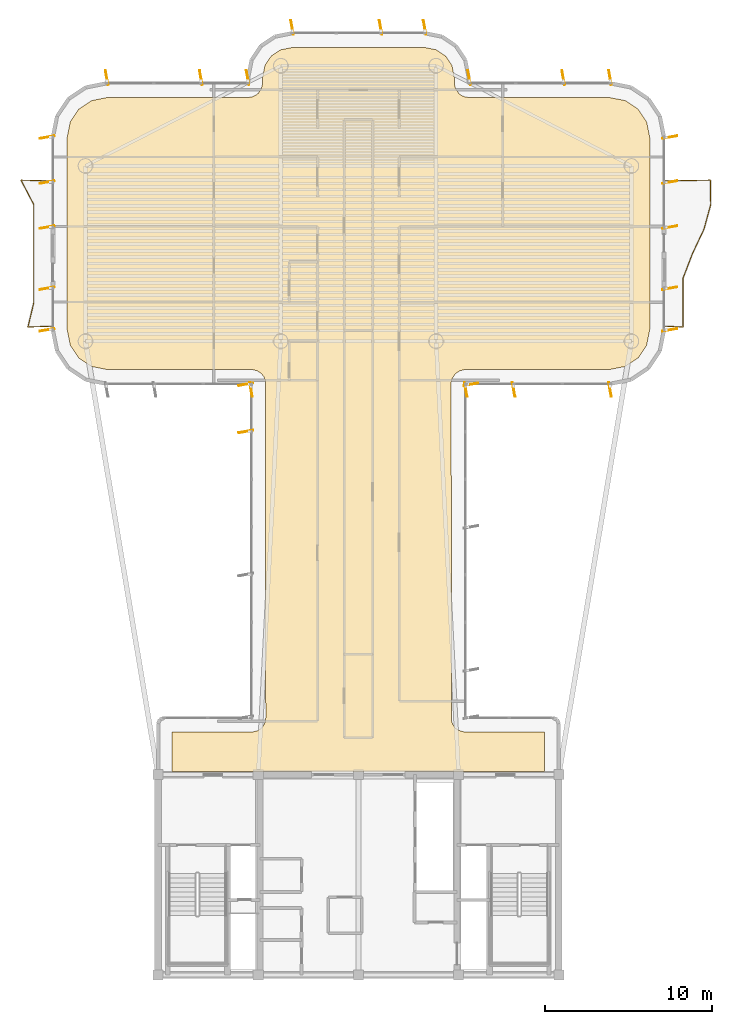
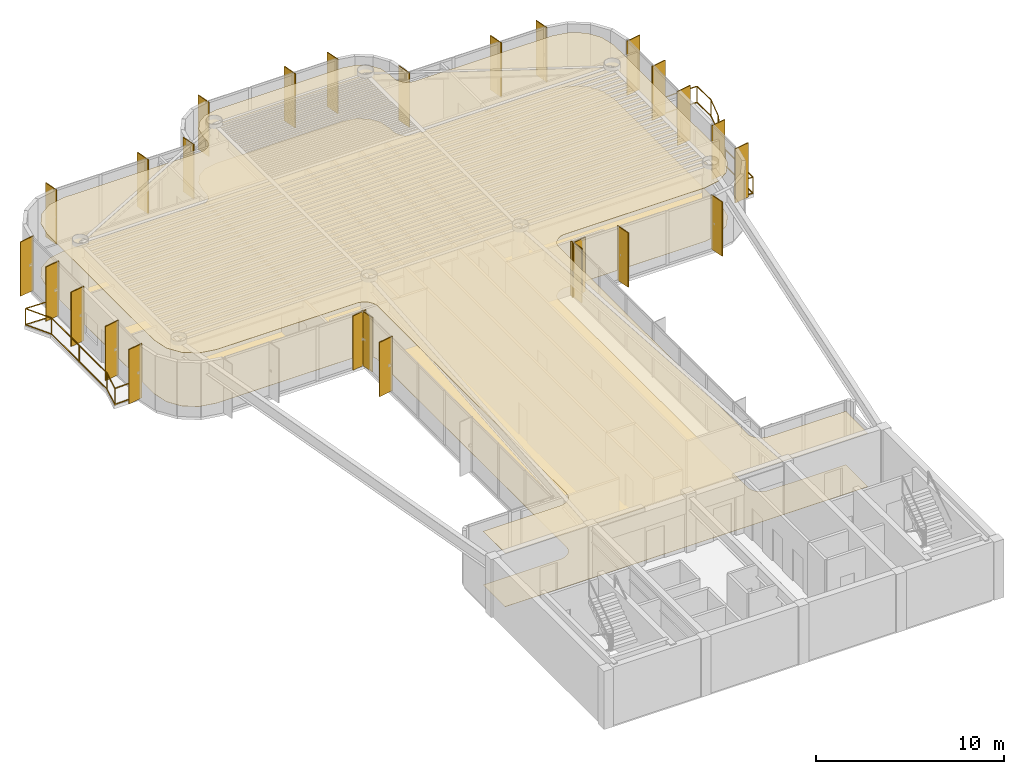
# One storey, part 15 of 15: 26 shading devices, 2 coverings, 2 railings.
"""IFC4 building model written with IfcOpenShell, lengths in metres."""

from ifc_helpers import new_model, si_unit, direction, frame, origin, origin_2d, place, context, subcontext, project, spatial, polyline, rectangle, outline, extrude, source, transform, mapped, material, layer, layer_set, material_profile, profile_set, type_object, element, save


model = new_model("IFC4")

# Units and contexts
model_context = context("Model", 3, precision=1e-05, world=origin(), true_north=direction((0.0, 1.0)))
body_context = subcontext(model_context, "Body", "Model", "MODEL_VIEW")
ifc_project = project(units=[si_unit("LENGTHUNIT", "METRE"), si_unit("AREAUNIT", "SQUARE_METRE"), si_unit("VOLUMEUNIT", "CUBIC_METRE"), si_unit("PLANEANGLEUNIT", "RADIAN"), si_unit("MASSUNIT", "GRAM", prefix="KILO")], contexts=[model_context])

# Site, building, storey
site_placement = place(None, origin())
site = spatial("IfcSite", under=ifc_project, at=site_placement, CompositionType="ELEMENT")
building_placement = place(site_placement, origin())
building = spatial("IfcBuilding", under=site, at=building_placement, Name="Brelvock Crest Care Tower", CompositionType="ELEMENT")
storey_placement = place(building_placement, frame((0.0, 0.0, 268.3798828125)))
storey = spatial("IfcBuildingStorey", under=building, at=storey_placement, Name="L68", CompositionType="ELEMENT", Elevation=268.3798828125)

# Coverings
ifc_material_1 = material(Name="Mineral Fibre Acoustic Ceiling Tile", Category="gypsum")
ifc_layer_1 = layer(ifc_material_1, 0.02490234375, Name="COV-CLG1")
ifc_layer_set_1 = layer_set([ifc_layer_1], Name="Mineral Fibre Acoustic Ceiling Tile")
covering_type_1 = type_object("IfcCoveringType", Name="COV-CLG1", PredefinedType="CEILING", material=ifc_layer_set_1)
covering_1_placement = place(storey_placement, frame((0.0, 0.0, 3.47509765625)))
element("IfcCovering", 1, at=covering_1_placement, inside=storey, type_object=covering_type_1, Name="L68 Acoustic Suspended Ceiling 1", PredefinedType="CEILING", context=body_context, shape_type="SweptSolid", body=[
    extrude(outline(polyline([(24.85009765625, 18.199951171875), (47.14990234375, 18.199951171875), (47.14990234375, 20.550048828125), (42.316650390625, 20.55419921875), (41.999267578125, 20.650390625), (41.799072265625, 20.799072265625), (41.650390625, 20.999267578125), (41.56640625, 21.234130859375), (41.55419921875, 41.4833984375), (41.61474609375, 41.725341796875), (41.799072265625, 42.0009765625), (42.07470703125, 42.185302734375), (42.316650390625, 42.245849609375), (51.016357421875, 42.25), (51.992919921875, 42.4443359375), (52.75, 42.9501953125), (53.255615234375, 43.70703125), (53.449951171875, 44.68359375), (53.449951171875, 56.1162109375), (53.255615234375, 57.093017578125), (52.75, 57.849853515625), (51.992919921875, 58.355712890625), (51.016357421875, 58.550048828125), (42.60009765625, 58.550048828125), (42.353271484375, 58.586669921875), (42.127685546875, 58.693359375), (41.9990234375, 58.799072265625), (41.814697265625, 59.07470703125), (41.754150390625, 59.316650390625), (41.75, 59.71630859375), (41.601318359375, 60.46337890625), (41.2255859375, 61.025634765625), (40.663330078125, 61.4013671875), (39.916259765625, 61.550048828125), (32.083740234375, 61.550048828125), (31.336669921875, 61.4013671875), (30.7744140625, 61.025634765625), (30.398681640625, 60.46337890625), (30.25, 59.71630859375), (30.245849609375, 59.316650390625), (30.185302734375, 59.07470703125), (30.0009765625, 58.799072265625), (29.872314453125, 58.693359375), (29.646728515625, 58.586669921875), (29.39990234375, 58.550048828125), (20.983642578125, 58.550048828125), (20.007080078125, 58.355712890625), (19.25, 57.849853515625), (18.744384765625, 57.093017578125), (18.550048828125, 56.1162109375), (18.550048828125, 44.68359375), (18.744384765625, 43.70703125), (19.25, 42.9501953125), (20.007080078125, 42.4443359375), (20.983642578125, 42.25), (29.683349609375, 42.245849609375), (29.92529296875, 42.185302734375), (30.200927734375, 42.0009765625), (30.349609375, 41.80078125), (30.43359375, 41.56591796875), (30.449951171875, 21.39990234375), (30.413330078125, 21.1533203125), (30.306640625, 20.927734375), (30.13916015625, 20.742919921875), (29.92529296875, 20.61474609375), (29.683349609375, 20.55419921875), (24.85009765625, 20.550048828125), (24.85009765625, 18.199951171875)])), origin(), (0.0, 0.0, 1.0), 0.02490234375),
])
ifc_material_2 = material(Name="Slip-Resistant Acoustic Vinyl Flooring", Category="finish")
ifc_layer_2 = layer(ifc_material_2, 0.014892578125, Name="COV-FLR1")
ifc_layer_set_2 = layer_set([ifc_layer_2], Name="Slip-Resistant Acoustic Vinyl Flooring")
covering_type_2 = type_object("IfcCoveringType", Name="COV-FLR1", PredefinedType="FLOORING", material=ifc_layer_set_2)
covering_2_placement = place(storey_placement, origin())
element("IfcCovering", 2, at=covering_2_placement, inside=storey, type_object=covering_type_2, Name="L68 Slip-Resistant Acoustic Flooring 1", PredefinedType="FLOORING", context=body_context, shape_type="SweptSolid", body=[
    extrude(outline(polyline([(24.85009765625, 18.199951171875), (47.14990234375, 18.199951171875), (47.14990234375, 20.550048828125), (42.316650390625, 20.55419921875), (41.999267578125, 20.650390625), (41.799072265625, 20.799072265625), (41.650390625, 20.999267578125), (41.56640625, 21.234130859375), (41.55419921875, 41.4833984375), (41.61474609375, 41.725341796875), (41.799072265625, 42.0009765625), (42.07470703125, 42.185302734375), (42.316650390625, 42.245849609375), (51.016357421875, 42.25), (51.992919921875, 42.4443359375), (52.75, 42.9501953125), (53.255615234375, 43.70703125), (53.449951171875, 44.68359375), (53.449951171875, 56.1162109375), (53.255615234375, 57.093017578125), (52.75, 57.849853515625), (51.992919921875, 58.355712890625), (51.016357421875, 58.550048828125), (42.60009765625, 58.550048828125), (42.353271484375, 58.586669921875), (42.127685546875, 58.693359375), (41.9990234375, 58.799072265625), (41.814697265625, 59.07470703125), (41.754150390625, 59.316650390625), (41.75, 59.71630859375), (41.601318359375, 60.46337890625), (41.2255859375, 61.025634765625), (40.663330078125, 61.4013671875), (39.916259765625, 61.550048828125), (32.083740234375, 61.550048828125), (31.336669921875, 61.4013671875), (30.7744140625, 61.025634765625), (30.398681640625, 60.46337890625), (30.25, 59.71630859375), (30.245849609375, 59.316650390625), (30.185302734375, 59.07470703125), (30.0009765625, 58.799072265625), (29.872314453125, 58.693359375), (29.646728515625, 58.586669921875), (29.39990234375, 58.550048828125), (20.983642578125, 58.550048828125), (20.007080078125, 58.355712890625), (19.25, 57.849853515625), (18.744384765625, 57.093017578125), (18.550048828125, 56.1162109375), (18.550048828125, 44.68359375), (18.744384765625, 43.70703125), (19.25, 42.9501953125), (20.007080078125, 42.4443359375), (20.983642578125, 42.25), (29.683349609375, 42.245849609375), (29.92529296875, 42.185302734375), (30.200927734375, 42.0009765625), (30.349609375, 41.80078125), (30.43359375, 41.56591796875), (30.449951171875, 21.39990234375), (30.413330078125, 21.1533203125), (30.306640625, 20.927734375), (30.13916015625, 20.742919921875), (29.92529296875, 20.61474609375), (29.683349609375, 20.55419921875), (24.85009765625, 20.550048828125), (24.85009765625, 18.199951171875)])), origin(), (0.0, 0.0, 1.0), 0.01513671875),
])

# Railings
ifc_material_3 = material(Name="Dark Glass Double Glazed Low-E", Category="glass")
ifc_layer_3 = layer(ifc_material_3, 0.06005859375, Name="RL-BAL1")
ifc_layer_set_3 = layer_set([ifc_layer_3], Name="Dark Glass Double Glazed Low-E")
railing_type = type_object("IfcRailingType", Name="RL-BAL1", PredefinedType="BALUSTRADE", material=ifc_layer_set_3)
railing_1_placement = place(storey_placement, frame((17.659912109375, 44.85009765625, 0.004150390625)))
element("IfcRailing", 3, at=railing_1_placement, inside=storey, type_object=railing_type, Name="L68 Safety Balustrade WB-W", PredefinedType="BALUSTRADE", context=body_context, shape_type="SweptSolid", body=[
    extrude(rectangle(XDim=0.048095703125, YDim=0.048095703125, at=origin_2d()), frame((-0.001953125, 0.0, 1.09619140625), z_axis=(-0.999404799616, -0.034497050669, 0.0), x_axis=(0.034497050669, -0.999404799616, 0.0)), (0.0, 0.0, 1.0), 1.44677734375),
    extrude(rectangle(XDim=0.048095703125, YDim=0.048095703125, at=origin_2d()), frame((-0.001953125, 0.0, 0.054931640625), z_axis=(-0.999404799616, -0.034497050669, 0.0), x_axis=(0.034497050669, -0.999404799616, 0.0)), (0.0, 0.0, 1.0), 1.44677734375),
    extrude(rectangle(XDim=0.048095703125, YDim=0.048095703125, at=origin_2d()), frame((-1.449462890625, -0.048095703125, 1.09619140625), z_axis=(0.232196944837, 0.972668791937, 0.0), x_axis=(-0.972668791937, 0.232196944837, 0.0)), (0.0, 0.0, 1.0), 1.503662109375),
    extrude(rectangle(XDim=0.048095703125, YDim=0.048095703125, at=origin_2d()), frame((-1.449462890625, -0.048095703125, 0.054931640625), z_axis=(0.232196944837, 0.972668791937, 0.0), x_axis=(-0.972668791937, 0.232196944837, 0.0)), (0.0, 0.0, 1.0), 1.503662109375),
    extrude(rectangle(XDim=0.048095703125, YDim=0.048095703125, at=origin_2d()), frame((-1.099853515625, 1.41845703125, 1.09619140625), z_axis=(-0.000124843944, 0.999999992207, 0.0), x_axis=(-0.999999992207, -0.000124843944, 0.0)), (0.0, 0.0, 1.0), 5.86279296875),
    extrude(rectangle(XDim=0.048095703125, YDim=0.048095703125, at=origin_2d()), frame((-1.099853515625, 1.41845703125, 0.054931640625), z_axis=(-0.000124843944, 0.999999992207, 0.0), x_axis=(-0.999999992207, -0.000124843944, 0.0)), (0.0, 0.0, 1.0), 5.86279296875),
    extrude(rectangle(XDim=0.048095703125, YDim=0.048095703125, at=origin_2d()), frame((-1.1015625, 7.284912109375, 1.09619140625), z_axis=(-0.463191013929, 0.88625847506, 0.0), x_axis=(-0.88625847506, -0.463191013929, 0.0)), (0.0, 0.0, 1.0), 1.651123046875),
    extrude(rectangle(XDim=0.048095703125, YDim=0.048095703125, at=origin_2d()), frame((-1.1015625, 7.284912109375, 0.054931640625), z_axis=(-0.463191013929, 0.88625847506, 0.0), x_axis=(-0.88625847506, -0.463191013929, 0.0)), (0.0, 0.0, 1.0), 1.651123046875),
    extrude(rectangle(XDim=0.048095703125, YDim=0.048095703125, at=origin_2d()), frame((-1.865234375, 8.75, 1.09619140625), z_axis=(0.999640955712, -0.026794769341, 0.0), x_axis=(0.026794769341, 0.999640955712, 0.0)), (0.0, 0.0, 1.0), 1.86376953125),
    extrude(rectangle(XDim=0.048095703125, YDim=0.048095703125, at=origin_2d()), frame((-1.865234375, 8.75, 0.054931640625), z_axis=(0.999640955712, -0.026794769341, 0.0), x_axis=(0.026794769341, 0.999640955712, 0.0)), (0.0, 0.0, 1.0), 1.86376953125),
    extrude(rectangle(XDim=0.0419921875, YDim=0.0419921875, at=origin_2d()), origin(), (0.0, 0.0, 1.0), 1.070068359375),
    extrude(rectangle(XDim=0.0419921875, YDim=0.0419921875, at=origin_2d()), frame((-1.449951171875, -0.050048828125, 0.0)), (0.0, 0.0, 1.0), 1.070068359375),
    extrude(rectangle(XDim=0.0419921875, YDim=0.0419921875, at=origin_2d()), frame((-1.099853515625, 1.41650390625, 0.0)), (0.0, 0.0, 1.0), 1.070068359375),
    extrude(rectangle(XDim=0.0419921875, YDim=0.0419921875, at=origin_2d()), frame((-1.10009765625, 4.349853515625, 0.0)), (0.0, 0.0, 1.0), 1.070068359375),
    extrude(rectangle(XDim=0.0419921875, YDim=0.0419921875, at=origin_2d()), frame((-1.1005859375, 7.283203125, 0.0)), (0.0, 0.0, 1.0), 1.070068359375),
    extrude(rectangle(XDim=0.0419921875, YDim=0.0419921875, at=origin_2d()), frame((-1.8671875, 8.75, 0.0)), (0.0, 0.0, 1.0), 1.070068359375),
    extrude(rectangle(XDim=0.0419921875, YDim=0.0419921875, at=origin_2d()), frame((0.0, 8.699951171875, 0.0)), (0.0, 0.0, 1.0), 1.070068359375),
])
railing_2_placement = place(storey_placement, frame((54.340087890625, 44.85009765625, 0.004150390625)))
element("IfcRailing", 4, at=railing_2_placement, inside=storey, type_object=railing_type, Name="L68 Safety Balustrade WB-E", PredefinedType="BALUSTRADE", context=body_context, shape_type="SweptSolid", body=[
    extrude(rectangle(XDim=0.048095703125, YDim=0.048095703125, at=origin_2d()), frame((0.001953125, 0.0, 1.09619140625), z_axis=(0.998966252902, -0.045457953795, 0.0), x_axis=(0.045457953795, 0.998966252902, 0.0)), (0.0, 0.0, 1.0), 1.096923828125),
    extrude(rectangle(XDim=0.048095703125, YDim=0.048095703125, at=origin_2d()), frame((0.001953125, 0.0, 0.054931640625), z_axis=(0.998966252902, -0.045457953795, 0.0), x_axis=(0.045457953795, 0.998966252902, 0.0)), (0.0, 0.0, 1.0), 1.096923828125),
    extrude(rectangle(XDim=0.048095703125, YDim=0.048095703125, at=origin_2d()), frame((1.099853515625, -0.048095703125, 1.09619140625), z_axis=(0.0, 1.0, 0.0), x_axis=(-1.0, 0.0, 0.0)), (0.0, 0.0, 1.0), 2.929443359375),
    extrude(rectangle(XDim=0.048095703125, YDim=0.048095703125, at=origin_2d()), frame((1.099853515625, -0.048095703125, 0.054931640625), z_axis=(0.0, 1.0, 0.0), x_axis=(-1.0, 0.0, 0.0)), (0.0, 0.0, 1.0), 2.929443359375),
    extrude(rectangle(XDim=0.048095703125, YDim=0.048095703125, at=origin_2d()), frame((1.1005859375, 2.88525390625, 1.09619140625), z_axis=(0.357436663677, 0.933937380909, 0.0), x_axis=(-0.933937380909, 0.357436663677, 0.0)), (0.0, 0.0, 1.0), 1.56640625),
    extrude(rectangle(XDim=0.048095703125, YDim=0.048095703125, at=origin_2d()), frame((1.1005859375, 2.88525390625, 0.054931640625), z_axis=(0.357436663677, 0.933937380909, 0.0), x_axis=(-0.933937380909, 0.357436663677, 0.0)), (0.0, 0.0, 1.0), 1.56640625),
    extrude(rectangle(XDim=0.048095703125, YDim=0.048095703125, at=origin_2d()), frame((1.661865234375, 4.3515625, 1.09619140625), z_axis=(0.426746449171, 0.904371310978, 0.0), x_axis=(-0.904371310978, 0.426746449171, 0.0)), (0.0, 0.0, 1.0), 1.617919921875),
    extrude(rectangle(XDim=0.048095703125, YDim=0.048095703125, at=origin_2d()), frame((1.661865234375, 4.3515625, 0.054931640625), z_axis=(0.426746449171, 0.904371310978, 0.0), x_axis=(-0.904371310978, 0.426746449171, 0.0)), (0.0, 0.0, 1.0), 1.617919921875),
    extrude(rectangle(XDim=0.048095703125, YDim=0.048095703125, at=origin_2d()), frame((2.353759765625, 5.818603515625, 1.09619140625), z_axis=(0.263525028953, 0.964652558756, 0.0), x_axis=(-0.964652558756, 0.263525028953, 0.0)), (0.0, 0.0, 1.0), 1.516357421875),
    extrude(rectangle(XDim=0.048095703125, YDim=0.048095703125, at=origin_2d()), frame((2.353759765625, 5.818603515625, 0.054931640625), z_axis=(0.263525028953, 0.964652558756, 0.0), x_axis=(-0.964652558756, 0.263525028953, 0.0)), (0.0, 0.0, 1.0), 1.516357421875),
    extrude(rectangle(XDim=0.048095703125, YDim=0.048095703125, at=origin_2d()), frame((2.75390625, 7.28515625, 1.09619140625), z_axis=(-0.013647197663, 0.999906872662, 0.0), x_axis=(-0.999906872662, -0.013647197663, 0.0)), (0.0, 0.0, 1.0), 1.462890625),
    extrude(rectangle(XDim=0.048095703125, YDim=0.048095703125, at=origin_2d()), frame((2.75390625, 7.28515625, 0.054931640625), z_axis=(-0.013647197663, 0.999906872662, 0.0), x_axis=(-0.999906872662, -0.013647197663, 0.0)), (0.0, 0.0, 1.0), 1.462890625),
    extrude(rectangle(XDim=0.048095703125, YDim=0.048095703125, at=origin_2d()), frame((2.73193359375, 8.75, 1.09619140625), z_axis=(-0.999832471903, -0.018303773597, 0.0), x_axis=(0.018303773597, -0.999832471903, 0.0)), (0.0, 0.0, 1.0), 2.730224609375),
    extrude(rectangle(XDim=0.048095703125, YDim=0.048095703125, at=origin_2d()), frame((2.73193359375, 8.75, 0.054931640625), z_axis=(-0.999832471903, -0.018303773597, 0.0), x_axis=(0.018303773597, -0.999832471903, 0.0)), (0.0, 0.0, 1.0), 2.730224609375),
    extrude(rectangle(XDim=0.0419921875, YDim=0.0419921875, at=origin_2d()), origin(), (0.0, 0.0, 1.0), 1.070068359375),
    extrude(rectangle(XDim=0.0419921875, YDim=0.0419921875, at=origin_2d()), frame((1.099853515625, -0.050048828125, 0.0)), (0.0, 0.0, 1.0), 1.070068359375),
    extrude(rectangle(XDim=0.0419921875, YDim=0.0419921875, at=origin_2d()), frame((1.099853515625, 2.88330078125, 0.0)), (0.0, 0.0, 1.0), 1.070068359375),
    extrude(rectangle(XDim=0.0419921875, YDim=0.0419921875, at=origin_2d()), frame((1.6611328125, 4.349853515625, 0.0)), (0.0, 0.0, 1.0), 1.070068359375),
    extrude(rectangle(XDim=0.0419921875, YDim=0.0419921875, at=origin_2d()), frame((2.353271484375, 5.816650390625, 0.0)), (0.0, 0.0, 1.0), 1.070068359375),
    extrude(rectangle(XDim=0.0419921875, YDim=0.0419921875, at=origin_2d()), frame((2.75390625, 7.283203125, 0.0)), (0.0, 0.0, 1.0), 1.070068359375),
    extrude(rectangle(XDim=0.0419921875, YDim=0.0419921875, at=origin_2d()), frame((2.73388671875, 8.75, 0.0)), (0.0, 0.0, 1.0), 1.070068359375),
    extrude(rectangle(XDim=0.0419921875, YDim=0.0419921875, at=origin_2d()), frame((0.0, 8.699951171875, 0.0)), (0.0, 0.0, 1.0), 1.070068359375),
])

# Shading devices
ifc_material_4 = material(Name="Aluminium 6063-T6", Category="aluminium")
ifc_material_profile = material_profile(ifc_material_4, rectangle(XDim=0.054931640625, YDim=0.89990234375, at=origin_2d()), Name="FIN55x900")
ifc_profile_set = profile_set([ifc_material_profile], Name="Aluminium 6063-T6")
shading_device_type = type_object("IfcShadingDeviceType", Name="SHD-FIN1", PredefinedType="USERDEFINED", material=ifc_profile_set)
shared_shape = source(origin(), body_context, "Body", "SweptSolid", [
    extrude(rectangle(XDim=0.054931640625, YDim=0.89990234375, at=origin_2d()), origin(), (0.0, 0.0, 1.0), 3.530029296875),
])
for number, where, z_axis, x_axis, name in (
    (5, (29.260009765625, 38.54296875, 0.0), (0.0, 0.0, 1.0), (-0.173648177667, 0.984807753012, 0.0), "L68 Vertical Sunshade Fin E11-07"),
    (6, (29.260009765625, 41.3701171875, 0.0), (0.0, 0.0, 1.0), (-0.173648177667, 0.984807753012, 0.0), "L68 Vertical Sunshade Fin E11-08"),
    (7, (29.570068359375, 41.06005859375, 0.0), (0.0, 0.0, 1.0), (-0.984807753012, -0.173648177667, 0.0), "L68 Vertical Sunshade Fin E12-01"),
    (8, (17.360107421875, 44.6298828125, 0.0), (0.0, 0.0, 1.0), (-0.173648177667, 0.984807753012, 0.0), "L68 Vertical Sunshade Fin E17A-01"),
    (9, (17.360107421875, 47.1201171875, 0.0), (0.0, 0.0, 1.0), (-0.173648177667, 0.984807753012, 0.0), "L68 Vertical Sunshade Fin E17A-02"),
    (10, (17.360107421875, 50.780029296875, 0.0), (0.0, 0.0, 1.0), (-0.173648177667, 0.984807753012, 0.0), "L68 Vertical Sunshade Fin E17B-01"),
    (11, (17.360107421875, 53.47509765625, 0.0), (0.0, 0.0, 1.0), (-0.173648177667, 0.984807753012, 0.0), "L68 Vertical Sunshade Fin E17B-02"),
    (12, (17.360107421875, 56.169921875, 0.0), (0.0, 0.0, 1.0), (-0.173648177667, 0.984807753012, 0.0), "L68 Vertical Sunshade Fin E17B-03"),
    (13, (20.929931640625, 59.739990234375, 0.0), (0.0, 0.0, 1.0), (0.984807753012, 0.173648177667, 0.0), "L68 Vertical Sunshade Fin E22-01"),
    (14, (26.566650390625, 59.739990234375, 0.0), (0.0, 0.0, 1.0), (0.984807753012, 0.173648177667, 0.0), "L68 Vertical Sunshade Fin E22-03"),
    (15, (29.3701171875, 59.739990234375, 0.0), (0.0, 0.0, 1.0), (0.984807753012, 0.173648177667, 0.0), "L68 Vertical Sunshade Fin E22-04"),
    (16, (32.030029296875, 62.739990234375, 0.0), (0.0, 0.0, 1.0), (0.984807753012, 0.173648177667, 0.0), "L68 Vertical Sunshade Fin E28-01"),
    (17, (37.333251953125, 62.739990234375, 0.0), (0.0, 0.0, 1.0), (0.984807753012, 0.173648177667, 0.0), "L68 Vertical Sunshade Fin E28-03"),
    (18, (39.969970703125, 62.739990234375, 0.0), (0.0, 0.0, 1.0), (0.984807753012, 0.173648177667, 0.0), "L68 Vertical Sunshade Fin E28-04"),
    (19, (42.6298828125, 59.739990234375, 0.0), (0.0, 0.0, 1.0), (0.984807753012, 0.173648177667, 0.0), "L68 Vertical Sunshade Fin E34-01"),
    (20, (48.2666015625, 59.739990234375, 0.0), (0.0, 0.0, 1.0), (0.984807753012, 0.173648177667, 0.0), "L68 Vertical Sunshade Fin E34-03"),
    (21, (51.070068359375, 59.739990234375, 0.0), (0.0, 0.0, 1.0), (0.984807753012, 0.173648177667, 0.0), "L68 Vertical Sunshade Fin E34-04"),
    (22, (54.639892578125, 56.169921875, 0.0), (0.0, 0.0, 1.0), (0.173648177667, -0.984807753012, 0.0), "L68 Vertical Sunshade Fin E39A-01"),
    (23, (54.639892578125, 53.47509765625, 0.0), (0.0, 0.0, 1.0), (0.173648177667, -0.984807753012, 0.0), "L68 Vertical Sunshade Fin E39A-02"),
    (24, (54.639892578125, 50.780029296875, 0.0), (0.0, 0.0, 1.0), (0.173648177667, -0.984807753012, 0.0), "L68 Vertical Sunshade Fin E39A-03"),
    (25, (54.639892578125, 47.1201171875, 0.0), (0.0, 0.0, 1.0), (0.173648177667, -0.984807753012, 0.0), "L68 Vertical Sunshade Fin E39B-01"),
    (26, (54.639892578125, 44.6298828125, 0.0), (0.0, 0.0, 1.0), (0.173648177667, -0.984807753012, 0.0), "L68 Vertical Sunshade Fin E39B-02"),
    (27, (51.070068359375, 41.06005859375, 0.0), (0.0, 0.0, 1.0), (-0.984807753012, -0.173648177667, 0.0), "L68 Vertical Sunshade Fin E44-01"),
    (28, (45.300048828125, 41.06005859375, 0.0), (0.0, 0.0, 1.0), (-0.984807753012, -0.173648177667, 0.0), "L68 Vertical Sunshade Fin E44-03"),
    (29, (42.429931640625, 41.06005859375, 0.0), (0.0, 0.0, 1.0), (-0.984807753012, -0.173648177667, 0.0), "L68 Vertical Sunshade Fin E44-04"),
    (30, (42.739990234375, 41.3701171875, 0.0), (0.0, 0.0, 1.0), (0.173648177667, -0.984807753012, 0.0), "L68 Vertical Sunshade Fin E45-01"),
):
    element("IfcShadingDevice", number, at=place(storey_placement, frame(where, z_axis=z_axis, x_axis=x_axis)), inside=storey, type_object=shading_device_type, Name=name, ObjectType="FIN", PredefinedType="USERDEFINED", context=body_context, shape_type="MappedRepresentation", body=[
        mapped(shared_shape, transform((0.0, 0.0, 0.0), x_axis=(1.0, 0.0, 0.0), y_axis=(0.0, 1.0, 0.0), z_axis=(0.0, 0.0, 1.0), scale=1.0)),
    ])

save(model, "model.ifc")
